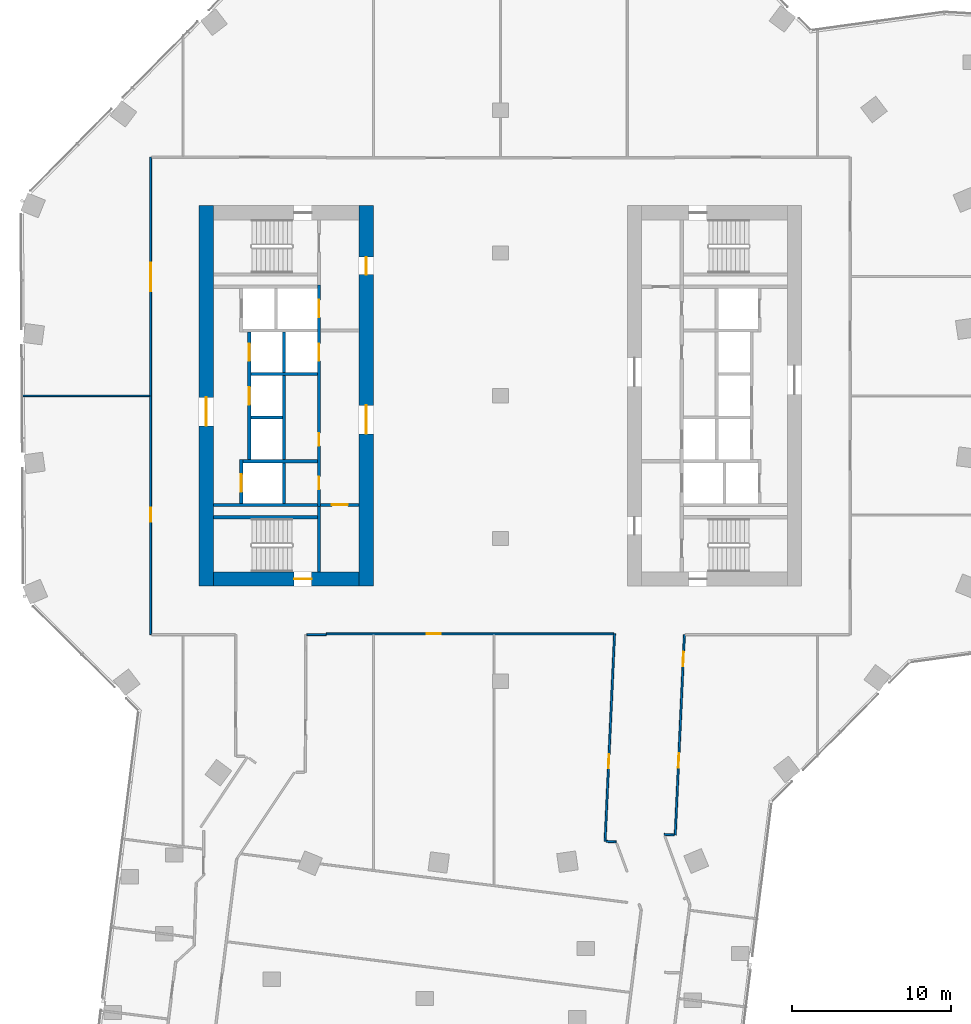
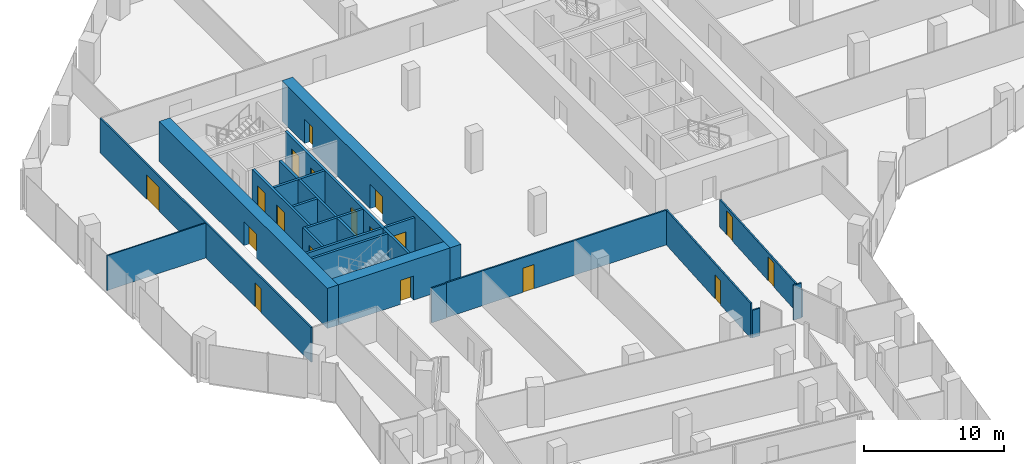
# One storey, part 20 of 27: 24 walls, 18 doors, 18 openings.
"""IFC4 building model written with IfcOpenShell, lengths in metres."""

from ifc_helpers import new_model, si_unit, direction, frame, frame_2d, origin, place, context, subcontext, project, spatial, rectangle, extrude, material, layer, layer_set, type_object, element, fill, save


model = new_model("IFC4")

# Units and contexts
model_context = context("Model", 3, precision=1e-05, world=origin(), true_north=direction((0.0, 1.0)))
body_context = subcontext(model_context, "Body", "Model", "MODEL_VIEW")
ifc_project = project(units=[si_unit("LENGTHUNIT", "METRE"), si_unit("AREAUNIT", "SQUARE_METRE"), si_unit("VOLUMEUNIT", "CUBIC_METRE"), si_unit("PLANEANGLEUNIT", "RADIAN"), si_unit("MASSUNIT", "GRAM", prefix="KILO")], contexts=[model_context])

# Site, building, storey
site_placement = place(None, origin())
site = spatial("IfcSite", under=ifc_project, at=site_placement, CompositionType="ELEMENT")
building_placement = place(site_placement, origin())
building = spatial("IfcBuilding", under=site, at=building_placement, Name="Orlundy Tower", CompositionType="ELEMENT")
storey_placement = place(building_placement, frame((0.0, 0.0, 199.10009765625)))
storey = spatial("IfcBuildingStorey", under=building, at=storey_placement, Name="L52", CompositionType="ELEMENT", Elevation=199.10009765625)

# Wall, opening, door
ifc_material_1 = material(Name="Concrete C70/85", Category="concrete")
ifc_layer_1 = layer(ifc_material_1, 0.89990234375)
ifc_layer_set_1 = layer_set([ifc_layer_1], Name="CORE WALL 900 C70/85")
wall_type_1 = type_object("IfcWallType", Name="CORE WALL 900 C70/85", PredefinedType="SHEAR", material=ifc_layer_set_1)
wall_1_placement = place(storey_placement, frame((-18.10009765625, -11.550048828125, 0.0), z_axis=(0.0, 0.0, 1.0), x_axis=(1.0, 0.0, 0.0)))
wall_1 = element("IfcWall", 1, at=wall_1_placement, inside=storey, type_object=wall_type_1, Name="Core wall W-S L52", PredefinedType="SHEAR", context=body_context, shape_type="SweptSolid", body=[
    extrude(rectangle(XDim=9.2001953125, YDim=0.89990234375, at=frame_2d((4.60009765625, 0.0))), origin(), (0.0, 0.0, 1.0), 3.5),
])
opening_1_placement = place(wall_1_placement, frame((5.10009765625, 0.0, 0.0)))
opening_1 = element("IfcOpeningElement", 2, at=opening_1_placement, cuts=wall_1, Name="Opening 40013", PredefinedType="OPENING", context=body_context, shape_type="SweptSolid", body=[
    extrude(rectangle(XDim=1.10009765625, YDim=2.10009765625, at=frame_2d((0.550048828125, 1.050048828125))), frame((0.0, 0.4599609375, 0.0), z_axis=(0.0, -1.0, 0.0), x_axis=(1.0, 0.0, 0.0)), (0.0, 0.0, 1.0), 0.919921875),
])
ifc_material_2 = material(Name="Steel door set", Category="steel")
door_type_1 = type_object("IfcDoorType", Name="Stair Door 1100x2100", OperationType="SINGLE_SWING_LEFT", PredefinedType="DOOR", material=ifc_material_2)
door_1_placement = place(opening_1_placement, origin())
door_1 = element("IfcDoor", 3, at=door_1_placement, inside=storey, type_object=door_type_1, Name="Stair door 40013", OperationType="SINGLE_SWING_RIGHT", OverallHeight=2.10009765625, OverallWidth=1.10009765625, PredefinedType="DOOR", context=body_context, shape_type="SweptSolid", body=[
    extrude(rectangle(XDim=1.10009765625, YDim=2.10009765625, at=frame_2d((0.550048828125, 1.050048828125))), frame((0.0, 0.02490234375, 0.0), z_axis=(0.0, -1.0, 0.0), x_axis=(1.0, 0.0, 0.0)), (0.0, 0.0, 1.0), 0.050048828125),
])
fill(opening_1, door_1)

wall_2_placement = place(storey_placement, frame((-18.550048828125, -12.0, 0.0), z_axis=(0.0, 0.0, 1.0), x_axis=(0.0, 1.0, 0.0)))
wall_2 = element("IfcWall", 4, at=wall_2_placement, inside=storey, type_object=wall_type_1, Name="Core wall W-W L52", PredefinedType="SHEAR", context=body_context, shape_type="SweptSolid", body=[
    extrude(rectangle(XDim=24.0, YDim=0.89990234375, at=frame_2d((12.0, 0.0))), origin(), (0.0, 0.0, 1.0), 3.5),
])
opening_2_placement = place(wall_2_placement, frame((10.10009765625, 0.0, 0.0)))
opening_2 = element("IfcOpeningElement", 5, at=opening_2_placement, cuts=wall_2, Name="Opening 40010", PredefinedType="OPENING", context=body_context, shape_type="SweptSolid", body=[
    extrude(rectangle(XDim=1.800048828125, YDim=2.10009765625, at=frame_2d((0.89990234375, 1.050048828125))), frame((0.0, 0.4599609375, 0.0), z_axis=(0.0, -1.0, 0.0), x_axis=(1.0, 0.0, 0.0)), (0.0, 0.0, 1.0), 0.919921875),
])
ifc_material_3 = material(Name="Timber door set", Category="wood")
door_type_2 = type_object("IfcDoorType", Name="Lobby Door 1800x2100", OperationType="DOUBLE_DOOR_DOUBLE_SWING", PredefinedType="DOOR", material=ifc_material_3)
door_2_placement = place(opening_2_placement, origin())
door_2 = element("IfcDoor", 6, at=door_2_placement, inside=storey, type_object=door_type_2, Name="Lift lobby door 40010", OperationType="SINGLE_SWING_LEFT", OverallHeight=2.10009765625, OverallWidth=1.800048828125, PredefinedType="DOOR", context=body_context, shape_type="SweptSolid", body=[
    extrude(rectangle(XDim=1.800048828125, YDim=2.10009765625, at=frame_2d((0.89990234375, 1.050048828125))), frame((0.0, 0.02490234375, 0.0), z_axis=(0.0, -1.0, 0.0), x_axis=(1.0, 0.0, 0.0)), (0.0, 0.0, 1.0), 0.050048828125),
])
fill(opening_2, door_2)

# Wall, openings, doors
wall_3_placement = place(storey_placement, frame((-8.449951171875, -12.0, 0.0), z_axis=(0.0, 0.0, 1.0), x_axis=(0.0, 1.0, 0.0)))
wall_3 = element("IfcWall", 7, at=wall_3_placement, inside=storey, type_object=wall_type_1, Name="Core wall W-E L52", PredefinedType="SHEAR", context=body_context, shape_type="SweptSolid", body=[
    extrude(rectangle(XDim=24.0, YDim=0.89990234375, at=frame_2d((12.0, 0.0))), origin(), (0.0, 0.0, 1.0), 3.5),
])
opening_3_placement = place(wall_3_placement, frame((9.60009765625, 0.0, 0.0)))
opening_3 = element("IfcOpeningElement", 8, at=opening_3_placement, cuts=wall_3, Name="Opening 40009", PredefinedType="OPENING", context=body_context, shape_type="SweptSolid", body=[
    extrude(rectangle(XDim=1.800048828125, YDim=2.10009765625, at=frame_2d((0.89990234375, 1.050048828125))), frame((0.0, 0.4599609375, 0.0), z_axis=(0.0, -1.0, 0.0), x_axis=(1.0, 0.0, 0.0)), (0.0, 0.0, 1.0), 0.919921875),
])
opening_4_placement = place(wall_3_placement, frame((19.64990234375, 0.0, 0.0)))
opening_4 = element("IfcOpeningElement", 9, at=opening_4_placement, cuts=wall_3, Name="Opening 40011", PredefinedType="OPENING", context=body_context, shape_type="SweptSolid", body=[
    extrude(rectangle(XDim=1.10009765625, YDim=2.10009765625, at=frame_2d((0.550048828125, 1.050048828125))), frame((0.0, 0.4599609375, 0.0), z_axis=(0.0, -1.0, 0.0), x_axis=(1.0, 0.0, 0.0)), (0.0, 0.0, 1.0), 0.919921875),
])
ifc_material_4 = material(Name="Steel door set", Category="steel")
door_type_3 = type_object("IfcDoorType", Name="Fire-fighting Lobby Door 1100x2100", OperationType="SINGLE_SWING_LEFT", PredefinedType="DOOR", material=ifc_material_4)
door_3_placement = place(opening_4_placement, origin())
door_3 = element("IfcDoor", 10, at=door_3_placement, inside=storey, type_object=door_type_3, Name="Fire-fighting lobby door 40011", OperationType="SINGLE_SWING_RIGHT", OverallHeight=2.10009765625, OverallWidth=1.10009765625, PredefinedType="DOOR", context=body_context, shape_type="SweptSolid", body=[
    extrude(rectangle(XDim=1.10009765625, YDim=2.10009765625, at=frame_2d((0.550048828125, 1.050048828125))), frame((0.0, 0.02490234375, 0.0), z_axis=(0.0, -1.0, 0.0), x_axis=(1.0, 0.0, 0.0)), (0.0, 0.0, 1.0), 0.050048828125),
])
fill(opening_4, door_3)
door_4_placement = place(opening_3_placement, origin())
door_4 = element("IfcDoor", 11, at=door_4_placement, inside=storey, type_object=door_type_2, Name="Lift lobby door 40009", OperationType="SINGLE_SWING_LEFT", OverallHeight=2.10009765625, OverallWidth=1.800048828125, PredefinedType="DOOR", context=body_context, shape_type="SweptSolid", body=[
    extrude(rectangle(XDim=1.800048828125, YDim=2.10009765625, at=frame_2d((0.89990234375, 1.050048828125))), frame((0.0, 0.02490234375, 0.0), z_axis=(0.0, -1.0, 0.0), x_axis=(1.0, 0.0, 0.0)), (0.0, 0.0, 1.0), 0.050048828125),
])
fill(opening_3, door_4)

# Walls
ifc_material_5 = material(Name="Gypsum board partition")
ifc_layer_2 = layer(ifc_material_5, 0.10009765625)
ifc_layer_set_2 = layer_set([ifc_layer_2], Name="Floor partition 100")
wall_type_2 = type_object("IfcWallType", Name="Floor partition 100", PredefinedType="PARTITIONING", material=ifc_layer_set_2)
wall_4_placement = place(storey_placement, frame((-30.2509765625, 0.0, 0.0), z_axis=(0.0, 0.0, 1.0), x_axis=(1.0, 0.0, 0.0)))
element("IfcWall", 12, at=wall_4_placement, inside=storey, type_object=wall_type_2, Name="wall-int-L52-035", PredefinedType="PARTITIONING", context=body_context, shape_type="SweptSolid", body=[
    extrude(rectangle(XDim=8.137939453125, YDim=0.10009765625, at=frame_2d((4.06884765625, 0.0))), origin(), (0.0, 0.0, 1.0), 3.02978515625),
])
ifc_material_6 = material(Name="Gypsum board partition, double layer")
ifc_layer_3 = layer(ifc_material_6, 0.125)
ifc_layer_set_3 = layer_set([ifc_layer_3], Name="Floor partition 125")
wall_type_3 = type_object("IfcWallType", Name="Floor partition 125", PredefinedType="PARTITIONING", material=ifc_layer_set_3)
wall_5_placement = place(storey_placement, frame((10.325927734375, -27.655029296875, 0.0), z_axis=(0.0, 0.0, 1.0), x_axis=(0.998961422795, -0.045563974439, 0.0)))
element("IfcWall", 13, at=wall_5_placement, inside=storey, type_object=wall_type_3, Name="wall-int-L52-023", PredefinedType="PARTITIONING", context=body_context, shape_type="SweptSolid", body=[
    extrude(rectangle(XDim=0.6376953125, YDim=0.125, at=frame_2d((0.31884765625, 0.0))), origin(), (0.0, 0.0, 1.0), 3.02978515625),
])
wall_6_placement = place(storey_placement, frame((-12.20703125, -15.051025390625, 0.0), z_axis=(0.0, 0.0, 1.0), x_axis=(1.0, 0.0, 0.0)))
element("IfcWall", 14, at=wall_6_placement, inside=storey, type_object=wall_type_3, Name="wall-int-L52-031", PredefinedType="PARTITIONING", context=body_context, shape_type="SweptSolid", body=[
    extrude(rectangle(XDim=1.216064453125, YDim=0.125, at=frame_2d((0.60791015625, 0.0))), origin(), (0.0, 0.0, 1.0), 3.02978515625),
])

# Wall, opening, door
wall_7_placement = place(storey_placement, frame((7.137939453125, -15.0009765625, 0.0), z_axis=(0.0, 0.0, 1.0), x_axis=(-1.0, 0.0, 0.0)))
wall_7 = element("IfcWall", 15, at=wall_7_placement, inside=storey, type_object=wall_type_3, Name="wall-int-L52-033", PredefinedType="PARTITIONING", context=body_context, shape_type="SweptSolid", body=[
    extrude(rectangle(XDim=18.1279296875, YDim=0.125, at=frame_2d((9.06396484375, 0.0))), origin(), (0.0, 0.0, 1.0), 3.02978515625),
])
opening_5_placement = place(wall_7_placement, frame((10.886474609375, 0.0, 0.0)))
opening_5 = element("IfcOpeningElement", 16, at=opening_5_placement, cuts=wall_7, Name="Opening 40114", PredefinedType="OPENING", context=body_context, shape_type="SweptSolid", body=[
    extrude(rectangle(XDim=0.89990234375, YDim=2.10009765625, at=frame_2d((0.449951171875, 1.050048828125))), frame((0.0, 0.072509765625, 0.0), z_axis=(0.0, -1.0, 0.0), x_axis=(1.0, 0.0, 0.0)), (0.0, 0.0, 1.0), 0.14501953125),
])
ifc_material_7 = material(Name="Timber door leaf", Category="wood")
door_type_4 = type_object("IfcDoorType", Name="Floor door single 900 FD30S", OperationType="NOTDEFINED", PredefinedType="DOOR", material=ifc_material_7)
door_5_placement = place(opening_5_placement, origin())
door_5 = element("IfcDoor", 17, at=door_5_placement, inside=storey, type_object=door_type_4, Name="Door 40114", OperationType="SINGLE_SWING_RIGHT", OverallHeight=2.10009765625, OverallWidth=0.89990234375, PredefinedType="DOOR", context=body_context, shape_type="SweptSolid", body=[
    extrude(rectangle(XDim=0.89990234375, YDim=2.10009765625, at=frame_2d((0.449951171875, 1.050048828125))), frame((0.0, 0.02490234375, 0.0), z_axis=(0.0, -1.0, 0.0), x_axis=(1.0, 0.0, 0.0)), (0.0, 0.0, 1.0), 0.050048828125),
])
fill(opening_5, door_5)

wall_8_placement = place(storey_placement, frame((6.60107421875, -28.090087890625, 0.0), z_axis=(0.0, 0.0, 1.0), x_axis=(0.045702609905, 0.998955089805, 0.0)))
wall_8 = element("IfcWall", 18, at=wall_8_placement, inside=storey, type_object=wall_type_3, Name="wall-int-L52-059", PredefinedType="PARTITIONING", context=body_context, shape_type="SweptSolid", body=[
    extrude(rectangle(XDim=13.103759765625, YDim=0.125, at=frame_2d((6.5517578125, 0.0))), origin(), (0.0, 0.0, 1.0), 3.02978515625),
])
opening_6_placement = place(wall_8_placement, frame((4.60009765625, 0.0, 0.0)))
opening_6 = element("IfcOpeningElement", 19, at=opening_6_placement, cuts=wall_8, Name="Opening 40115", PredefinedType="OPENING", context=body_context, shape_type="SweptSolid", body=[
    extrude(rectangle(XDim=0.89990234375, YDim=2.10009765625, at=frame_2d((0.449951171875, 1.050048828125))), frame((0.0, 0.072509765625, 0.0), z_axis=(0.0, -1.0, 0.0), x_axis=(1.0, 0.0, 0.0)), (0.0, 0.0, 1.0), 0.14501953125),
])
door_6_placement = place(opening_6_placement, origin())
door_6 = element("IfcDoor", 20, at=door_6_placement, inside=storey, type_object=door_type_4, Name="Door 40115", OperationType="SINGLE_SWING_LEFT", OverallHeight=2.10009765625, OverallWidth=0.89990234375, PredefinedType="DOOR", context=body_context, shape_type="SweptSolid", body=[
    extrude(rectangle(XDim=0.89990234375, YDim=2.10009765625, at=frame_2d((0.449951171875, 1.050048828125))), frame((0.0, 0.02490234375, 0.0), z_axis=(0.0, -1.0, 0.0), x_axis=(1.0, 0.0, 0.0)), (0.0, 0.0, 1.0), 0.050048828125),
])
fill(opening_6, door_6)

# Wall, openings, doors
wall_9_placement = place(storey_placement, frame((-22.050048828125, -15.051025390625, 0.0), z_axis=(0.0, 0.0, 1.0), x_axis=(0.0, 1.0, 0.0)))
wall_9 = element("IfcWall", 21, at=wall_9_placement, inside=storey, type_object=wall_type_3, Name="wall-int-L52-077", PredefinedType="PARTITIONING", context=body_context, shape_type="SweptSolid", body=[
    extrude(rectangle(XDim=30.10205078125, YDim=0.125, at=frame_2d((15.051025390625, 0.0))), origin(), (0.0, 0.0, 1.0), 3.02978515625),
])
opening_7_placement = place(wall_9_placement, frame((7.10009765625, 0.0, 0.0)))
opening_7 = element("IfcOpeningElement", 22, at=opening_7_placement, cuts=wall_9, Name="Opening 40111", PredefinedType="OPENING", context=body_context, shape_type="SweptSolid", body=[
    extrude(rectangle(XDim=0.89990234375, YDim=2.10009765625, at=frame_2d((0.449951171875, 1.050048828125))), frame((0.0, 0.072509765625, 0.0), z_axis=(0.0, -1.0, 0.0), x_axis=(1.0, 0.0, 0.0)), (0.0, 0.0, 1.0), 0.14501953125),
])
opening_8_placement = place(wall_9_placement, frame((21.65087890625, 0.0, 0.0)))
opening_8 = element("IfcOpeningElement", 23, at=opening_8_placement, cuts=wall_9, Name="Opening 40126", PredefinedType="OPENING", context=body_context, shape_type="SweptSolid", body=[
    extrude(rectangle(XDim=1.800048828125, YDim=2.10009765625, at=frame_2d((0.89990234375, 1.050048828125))), frame((0.0, 0.072509765625, 0.0), z_axis=(0.0, -1.0, 0.0), x_axis=(1.0, 0.0, 0.0)), (0.0, 0.0, 1.0), 0.14501953125),
])
ifc_material_8 = material(Name="Timber door leaf", Category="wood")
door_type_5 = type_object("IfcDoorType", Name="Floor door double 1800 FD30S", OperationType="NOTDEFINED", PredefinedType="DOOR", material=ifc_material_8)
door_7_placement = place(opening_8_placement, origin())
door_7 = element("IfcDoor", 24, at=door_7_placement, inside=storey, type_object=door_type_5, Name="Door 40126", OperationType="DOUBLE_DOOR_SINGLE_SWING", OverallHeight=2.10009765625, OverallWidth=1.800048828125, PredefinedType="DOOR", context=body_context, shape_type="SweptSolid", body=[
    extrude(rectangle(XDim=1.800048828125, YDim=2.10009765625, at=frame_2d((0.89990234375, 1.050048828125))), frame((0.0, 0.02490234375, 0.0), z_axis=(0.0, -1.0, 0.0), x_axis=(1.0, 0.0, 0.0)), (0.0, 0.0, 1.0), 0.050048828125),
])
fill(opening_8, door_7)
door_8_placement = place(opening_7_placement, origin())
door_8 = element("IfcDoor", 25, at=door_8_placement, inside=storey, type_object=door_type_4, Name="Door 40111", OperationType="SINGLE_SWING_LEFT", OverallHeight=2.10009765625, OverallWidth=0.89990234375, PredefinedType="DOOR", context=body_context, shape_type="SweptSolid", body=[
    extrude(rectangle(XDim=0.89990234375, YDim=2.10009765625, at=frame_2d((0.449951171875, 1.050048828125))), frame((0.0, 0.02490234375, 0.0), z_axis=(0.0, -1.0, 0.0), x_axis=(1.0, 0.0, 0.0)), (0.0, 0.0, 1.0), 0.050048828125),
])
fill(opening_7, door_8)

# Wall
ifc_material_9 = material(Name="Gypsum board partition, double layer")
ifc_layer_4 = layer(ifc_material_9, 0.125)
ifc_layer_set_4 = layer_set([ifc_layer_4], Name="Floor partition 125 B")
wall_type_4 = type_object("IfcWallType", Name="Floor partition 125 B", PredefinedType="PARTITIONING", material=ifc_layer_set_4)
wall_10_placement = place(storey_placement, frame((6.6630859375, -28.093017578125, 0.0), z_axis=(0.0, 0.0, 1.0), x_axis=(0.998961422795, -0.045563974439, 0.0)))
element("IfcWall", 26, at=wall_10_placement, inside=storey, type_object=wall_type_4, Name="wall-int-L52-022", PredefinedType="PARTITIONING", context=body_context, shape_type="SweptSolid", body=[
    extrude(rectangle(XDim=0.6376953125, YDim=0.125, at=frame_2d((0.31884765625, 0.0))), origin(), (0.0, 0.0, 1.0), 2.39501953125),
])

# Wall, openings, doors
wall_11_placement = place(storey_placement, frame((11.60302734375, -15.050048828125, 0.0), z_axis=(0.0, 0.0, 1.0), x_axis=(-0.045700929941, -0.998955166663, 0.0)))
wall_11 = element("IfcWall", 27, at=wall_11_placement, inside=storey, type_object=wall_type_4, Name="wall-int-L52-058", PredefinedType="PARTITIONING", context=body_context, shape_type="SweptSolid", body=[
    extrude(rectangle(XDim=12.650146484375, YDim=0.125, at=frame_2d((6.3251953125, 0.0))), origin(), (0.0, 0.0, 1.0), 2.39501953125),
])
opening_9_placement = place(wall_11_placement, frame((7.499267578125, 0.0, 0.0)))
opening_9 = element("IfcOpeningElement", 28, at=opening_9_placement, cuts=wall_11, Name="Opening 40116", PredefinedType="OPENING", context=body_context, shape_type="SweptSolid", body=[
    extrude(rectangle(XDim=0.89990234375, YDim=2.10009765625, at=frame_2d((0.449951171875, 1.050048828125))), frame((0.0, 0.072509765625, 0.0), z_axis=(0.0, -1.0, 0.0), x_axis=(1.0, 0.0, 0.0)), (0.0, 0.0, 1.0), 0.14501953125),
])
opening_10_placement = place(wall_11_placement, frame((1.100830078125, 0.0, 0.0)))
opening_10 = element("IfcOpeningElement", 29, at=opening_10_placement, cuts=wall_11, Name="Opening 40117", PredefinedType="OPENING", context=body_context, shape_type="SweptSolid", body=[
    extrude(rectangle(XDim=0.89990234375, YDim=2.10009765625, at=frame_2d((0.449951171875, 1.050048828125))), frame((0.0, 0.072509765625, 0.0), z_axis=(0.0, -1.0, 0.0), x_axis=(1.0, 0.0, 0.0)), (0.0, 0.0, 1.0), 0.14501953125),
])
door_9_placement = place(opening_9_placement, origin())
door_9 = element("IfcDoor", 30, at=door_9_placement, inside=storey, type_object=door_type_4, Name="Door 40116", OperationType="SINGLE_SWING_RIGHT", OverallHeight=2.10009765625, OverallWidth=0.89990234375, PredefinedType="DOOR", context=body_context, shape_type="SweptSolid", body=[
    extrude(rectangle(XDim=0.89990234375, YDim=2.10009765625, at=frame_2d((0.449951171875, 1.050048828125))), frame((0.0, 0.02490234375, 0.0), z_axis=(0.0, -1.0, 0.0), x_axis=(1.0, 0.0, 0.0)), (0.0, 0.0, 1.0), 0.050048828125),
])
fill(opening_9, door_9)
door_10_placement = place(opening_10_placement, origin())
door_10 = element("IfcDoor", 31, at=door_10_placement, inside=storey, type_object=door_type_4, Name="Door 40117", OperationType="SINGLE_SWING_LEFT", OverallHeight=2.10009765625, OverallWidth=0.89990234375, PredefinedType="DOOR", context=body_context, shape_type="SweptSolid", body=[
    extrude(rectangle(XDim=0.89990234375, YDim=2.10009765625, at=frame_2d((0.449951171875, 1.050048828125))), frame((0.0, 0.02490234375, 0.0), z_axis=(0.0, -1.0, 0.0), x_axis=(1.0, 0.0, 0.0)), (0.0, 0.0, 1.0), 0.050048828125),
])
fill(opening_10, door_10)

# Walls
ifc_material_10 = material(Name="Concrete C40/50", Category="concrete")
ifc_layer_5 = layer(ifc_material_10, 0.199951171875)
ifc_layer_set_5 = layer_set([ifc_layer_5], Name="Load-bearing Shaft Wall 200")
wall_type_5 = type_object("IfcWallType", Name="Load-bearing Shaft Wall 200", PredefinedType="SOLIDWALL", material=ifc_layer_set_5)
wall_12_placement = place(storey_placement, frame((-11.5400390625, -6.875, 0.0), z_axis=(0.0, 0.0, 1.0), x_axis=(-1.0, 0.0, 0.0)))
element("IfcWall", 32, at=wall_12_placement, inside=storey, type_object=wall_type_5, Name="Shaft wall W40-zone-s", PredefinedType="SOLIDWALL", context=body_context, shape_type="SweptSolid", body=[
    extrude(rectangle(XDim=6.56005859375, YDim=0.199951171875, at=frame_2d((3.280029296875, 0.0))), origin(), (0.0, 0.0, 1.0), 3.079833984375),
])
wall_13_placement = place(storey_placement, frame((-11.5400390625, -4.125, 0.0), z_axis=(0.0, 0.0, 1.0), x_axis=(-1.0, 0.0, 0.0)))
element("IfcWall", 33, at=wall_13_placement, inside=storey, type_object=wall_type_5, Name="Shaft wall W40-cross-4.125", PredefinedType="SOLIDWALL", context=body_context, shape_type="SweptSolid", body=[
    extrude(rectangle(XDim=4.699951171875, YDim=0.199951171875, at=frame_2d((2.35009765625, 0.0))), origin(), (0.0, 0.0, 1.0), 3.079833984375),
])
wall_14_placement = place(storey_placement, frame((-13.739990234375, -1.375, 0.0), z_axis=(0.0, 0.0, 1.0), x_axis=(-1.0, 0.0, 0.0)))
element("IfcWall", 34, at=wall_14_placement, inside=storey, type_object=wall_type_5, Name="Shaft wall W40-cross-1.375", PredefinedType="SOLIDWALL", context=body_context, shape_type="SweptSolid", body=[
    extrude(rectangle(XDim=2.0, YDim=0.199951171875, at=frame_2d((1.0, 0.0))), origin(), (0.0, 0.0, 1.0), 3.079833984375),
])

# Wall, openings, doors
wall_15_placement = place(storey_placement, frame((-11.43994140625, -6.97509765625, 0.0), z_axis=(0.0, 0.0, 1.0), x_axis=(0.0, 1.0, 0.0)))
wall_15 = element("IfcWall", 35, at=wall_15_placement, inside=storey, type_object=wall_type_5, Name="Shaft wall W40-front-h", PredefinedType="SOLIDWALL", context=body_context, shape_type="SweptSolid", body=[
    extrude(rectangle(XDim=13.9501953125, YDim=0.199951171875, at=frame_2d((6.97509765625, 0.0))), origin(), (0.0, 0.0, 1.0), 3.079833984375),
])
opening_11_placement = place(wall_15_placement, frame((9.175048828125, 0.0, 0.0)))
opening_11 = element("IfcOpeningElement", 36, at=opening_11_placement, cuts=wall_15, Name="Opening 40003", PredefinedType="OPENING", context=body_context, shape_type="SweptSolid", body=[
    extrude(rectangle(XDim=1.10009765625, YDim=2.10009765625, at=frame_2d((0.550048828125, 1.050048828125))), frame((0.0, 0.110107421875, 0.0), z_axis=(0.0, -1.0, 0.0), x_axis=(1.0, 0.0, 0.0)), (0.0, 0.0, 1.0), 0.22021484375),
])
opening_12_placement = place(wall_15_placement, frame((11.925048828125, 0.0, 0.0)))
opening_12 = element("IfcOpeningElement", 37, at=opening_12_placement, cuts=wall_15, Name="Opening 40005", PredefinedType="OPENING", context=body_context, shape_type="SweptSolid", body=[
    extrude(rectangle(XDim=1.10009765625, YDim=2.10009765625, at=frame_2d((0.550048828125, 1.050048828125))), frame((0.0, 0.110107421875, 0.0), z_axis=(0.0, -1.0, 0.0), x_axis=(1.0, 0.0, 0.0)), (0.0, 0.0, 1.0), 0.22021484375),
])
opening_13_placement = place(wall_15_placement, frame((1.074951171875, 0.0, 0.0)))
opening_13 = element("IfcOpeningElement", 38, at=opening_13_placement, cuts=wall_15, Name="Opening 40007", PredefinedType="OPENING", context=body_context, shape_type="SweptSolid", body=[
    extrude(rectangle(XDim=0.800048828125, YDim=2.10009765625, at=frame_2d((0.39990234375, 1.050048828125))), frame((0.0, 0.110107421875, 0.0), z_axis=(0.0, -1.0, 0.0), x_axis=(1.0, 0.0, 0.0)), (0.0, 0.0, 1.0), 0.22021484375),
])
opening_14_placement = place(wall_15_placement, frame((3.824951171875, 0.0, 0.0)))
opening_14 = element("IfcOpeningElement", 39, at=opening_14_placement, cuts=wall_15, Name="Opening 40008", PredefinedType="OPENING", context=body_context, shape_type="SweptSolid", body=[
    extrude(rectangle(XDim=0.800048828125, YDim=2.10009765625, at=frame_2d((0.39990234375, 1.050048828125))), frame((0.0, 0.110107421875, 0.0), z_axis=(0.0, -1.0, 0.0), x_axis=(1.0, 0.0, 0.0)), (0.0, 0.0, 1.0), 0.22021484375),
])
ifc_material_11 = material(Name="Steel door set", Category="steel")
door_type_6 = type_object("IfcDoorType", Name="Landing Door 1100x2100", OperationType="DOUBLE_DOOR_SLIDING", PredefinedType="DOOR", material=ifc_material_11)
door_11_placement = place(opening_11_placement, origin())
door_11 = element("IfcDoor", 40, at=door_11_placement, inside=storey, type_object=door_type_6, Name="Lift landing door LP-12 40003", OperationType="DOUBLE_DOOR_SLIDING", OverallHeight=2.10009765625, OverallWidth=1.10009765625, PredefinedType="DOOR", context=body_context, shape_type="SweptSolid", body=[
    extrude(rectangle(XDim=1.10009765625, YDim=2.10009765625, at=frame_2d((0.550048828125, 1.050048828125))), frame((0.0, 0.02490234375, 0.0), z_axis=(0.0, -1.0, 0.0), x_axis=(1.0, 0.0, 0.0)), (0.0, 0.0, 1.0), 0.050048828125),
])
fill(opening_11, door_11)
door_12_placement = place(opening_12_placement, origin())
door_12 = element("IfcDoor", 41, at=door_12_placement, inside=storey, type_object=door_type_6, Name="Lift landing door FL1 40005", OperationType="DOUBLE_DOOR_SLIDING", OverallHeight=2.10009765625, OverallWidth=1.10009765625, PredefinedType="DOOR", context=body_context, shape_type="SweptSolid", body=[
    extrude(rectangle(XDim=1.10009765625, YDim=2.10009765625, at=frame_2d((0.550048828125, 1.050048828125))), frame((0.0, 0.02490234375, 0.0), z_axis=(0.0, -1.0, 0.0), x_axis=(1.0, 0.0, 0.0)), (0.0, 0.0, 1.0), 0.050048828125),
])
fill(opening_12, door_12)
ifc_material_12 = material(Name="Timber door set", Category="wood")
door_type_7 = type_object("IfcDoorType", Name="Riser Door 800x2100", OperationType="SINGLE_SWING_LEFT", PredefinedType="DOOR", material=ifc_material_12)
door_13_placement = place(opening_13_placement, origin())
door_13 = element("IfcDoor", 42, at=door_13_placement, inside=storey, type_object=door_type_7, Name="Pantry Store door 40007", OperationType="SINGLE_SWING_LEFT", OverallHeight=2.10009765625, OverallWidth=0.800048828125, PredefinedType="DOOR", context=body_context, shape_type="SweptSolid", body=[
    extrude(rectangle(XDim=0.800048828125, YDim=2.10009765625, at=frame_2d((0.39990234375, 1.050048828125))), frame((0.0, 0.02490234375, 0.0), z_axis=(0.0, -1.0, 0.0), x_axis=(1.0, 0.0, 0.0)), (0.0, 0.0, 1.0), 0.050048828125),
])
fill(opening_13, door_13)
door_14_placement = place(opening_14_placement, origin())
door_14 = element("IfcDoor", 43, at=door_14_placement, inside=storey, type_object=door_type_7, Name="AV Store door 40008", OperationType="SINGLE_SWING_LEFT", OverallHeight=2.10009765625, OverallWidth=0.800048828125, PredefinedType="DOOR", context=body_context, shape_type="SweptSolid", body=[
    extrude(rectangle(XDim=0.800048828125, YDim=2.10009765625, at=frame_2d((0.39990234375, 1.050048828125))), frame((0.0, 0.02490234375, 0.0), z_axis=(0.0, -1.0, 0.0), x_axis=(1.0, 0.0, 0.0)), (0.0, 0.0, 1.0), 0.050048828125),
])
fill(opening_14, door_14)

# Walls
wall_16_placement = place(storey_placement, frame((-13.639892578125, -6.77490234375, 0.0), z_axis=(0.0, 0.0, 1.0), x_axis=(0.0, 1.0, 0.0)))
element("IfcWall", 44, at=wall_16_placement, inside=storey, type_object=wall_type_5, Name="Shaft wall W40-mid-a", PredefinedType="SOLIDWALL", context=body_context, shape_type="SweptSolid", body=[
    extrude(rectangle(XDim=2.5498046875, YDim=0.199951171875, at=frame_2d((1.27490234375, 0.0))), origin(), (0.0, 0.0, 1.0), 3.079833984375),
])
wall_17_placement = place(storey_placement, frame((-13.639892578125, -4.02490234375, 0.0), z_axis=(0.0, 0.0, 1.0), x_axis=(0.0, 1.0, 0.0)))
element("IfcWall", 45, at=wall_17_placement, inside=storey, type_object=wall_type_5, Name="Shaft wall W40-mid-a.1", PredefinedType="SOLIDWALL", context=body_context, shape_type="SweptSolid", body=[
    extrude(rectangle(XDim=5.2998046875, YDim=0.199951171875, at=frame_2d((2.64990234375, 0.0))), origin(), (0.0, 0.0, 1.0), 3.079833984375),
])
wall_18_placement = place(storey_placement, frame((-11.43994140625, -11.10009765625, 0.0), z_axis=(0.0, 0.0, 1.0), x_axis=(0.0, 1.0, 0.0)))
element("IfcWall", 46, at=wall_18_placement, inside=storey, type_object=wall_type_5, Name="Shaft wall W40-stair-end-s", PredefinedType="SOLIDWALL", context=body_context, shape_type="SweptSolid", body=[
    extrude(rectangle(XDim=4.125, YDim=0.199951171875, at=frame_2d((2.0625, 0.0))), origin(), (0.0, 0.0, 1.0), 3.079833984375),
])
wall_19_placement = place(storey_placement, frame((-11.5400390625, -7.64990234375, 0.0), z_axis=(0.0, 0.0, 1.0), x_axis=(-1.0, 0.0, 0.0)))
element("IfcWall", 47, at=wall_19_placement, inside=storey, type_object=wall_type_5, Name="Shaft wall W40-stair-side-s", PredefinedType="SOLIDWALL", context=body_context, shape_type="SweptSolid", body=[
    extrude(rectangle(XDim=6.56005859375, YDim=0.199951171875, at=frame_2d((3.280029296875, 0.0))), origin(), (0.0, 0.0, 1.0), 3.079833984375),
])

# Wall, opening, door
ifc_material_13 = material(Name="Gypsum board partition on steel studs", Category="steel")
ifc_layer_6 = layer(ifc_material_13, 0.199951171875)
ifc_layer_set_6 = layer_set([ifc_layer_6], Name="Partition 200")
wall_type_6 = type_object("IfcWallType", Name="Partition 200", PredefinedType="PARTITIONING", material=ifc_layer_set_6)
wall_20_placement = place(storey_placement, frame((-8.89990234375, -6.875, 0.0), z_axis=(0.0, 0.0, 1.0), x_axis=(-1.0, 0.0, 0.0)))
wall_20 = element("IfcWall", 48, at=wall_20_placement, inside=storey, type_object=wall_type_6, Name="Partition wall W40-end-s", PredefinedType="PARTITIONING", context=body_context, shape_type="SweptSolid", body=[
    extrude(rectangle(XDim=2.440185546875, YDim=0.199951171875, at=frame_2d((1.22021484375, 0.0))), origin(), (0.0, 0.0, 1.0), 3.079833984375),
])
opening_15_placement = place(wall_20_placement, frame((0.719970703125, 0.0, 0.0)))
opening_15 = element("IfcOpeningElement", 49, at=opening_15_placement, cuts=wall_20, Name="Opening 40015", PredefinedType="OPENING", context=body_context, shape_type="SweptSolid", body=[
    extrude(rectangle(XDim=1.0, YDim=2.10009765625, at=frame_2d((0.5, 1.050048828125))), frame((0.0, 0.110107421875, 0.0), z_axis=(0.0, -1.0, 0.0), x_axis=(1.0, 0.0, 0.0)), (0.0, 0.0, 1.0), 0.22021484375),
])
ifc_material_14 = material(Name="Timber door set", Category="wood")
door_type_8 = type_object("IfcDoorType", Name="Accessible Door 1000x2100", OperationType="SINGLE_SWING_LEFT", PredefinedType="DOOR", material=ifc_material_14)
door_15_placement = place(opening_15_placement, origin())
door_15 = element("IfcDoor", 50, at=door_15_placement, inside=storey, type_object=door_type_8, Name="Accessible WC door 40015", OperationType="SINGLE_SWING_RIGHT", OverallHeight=2.10009765625, OverallWidth=1.0, PredefinedType="DOOR", context=body_context, shape_type="SweptSolid", body=[
    extrude(rectangle(XDim=1.0, YDim=2.10009765625, at=frame_2d((0.5, 1.050048828125))), frame((0.0, 0.02490234375, 0.0), z_axis=(0.0, -1.0, 0.0), x_axis=(1.0, 0.0, 0.0)), (0.0, 0.0, 1.0), 0.050048828125),
])
fill(opening_15, door_15)

# Walls
ifc_material_15 = material(Name="Fire-rated blockwork shaft wall", Category="masonry")
ifc_layer_7 = layer(ifc_material_15, 0.199951171875)
ifc_layer_set_7 = layer_set([ifc_layer_7], Name="Shaft Wall 200")
wall_type_7 = type_object("IfcWallType", Name="Shaft Wall 200", PredefinedType="SOLIDWALL", material=ifc_layer_set_7)
wall_21_placement = place(storey_placement, frame((-11.5400390625, 1.375, 0.0), z_axis=(0.0, 0.0, 1.0), x_axis=(-1.0, 0.0, 0.0)))
element("IfcWall", 51, at=wall_21_placement, inside=storey, type_object=wall_type_7, Name="Shaft wall W40-cross+1.375", PredefinedType="SOLIDWALL", context=body_context, shape_type="SweptSolid", body=[
    extrude(rectangle(XDim=4.199951171875, YDim=0.199951171875, at=frame_2d((2.10009765625, 0.0))), origin(), (0.0, 0.0, 1.0), 3.079833984375),
])
wall_22_placement = place(storey_placement, frame((-13.639892578125, 1.47509765625, 0.0), z_axis=(0.0, 0.0, 1.0), x_axis=(0.0, 1.0, 0.0)))
element("IfcWall", 52, at=wall_22_placement, inside=storey, type_object=wall_type_7, Name="Shaft wall W40-mid-a.2", PredefinedType="SOLIDWALL", context=body_context, shape_type="SweptSolid", body=[
    extrude(rectangle(XDim=2.5498046875, YDim=0.199951171875, at=frame_2d((1.27490234375, 0.0))), origin(), (0.0, 0.0, 1.0), 3.079833984375),
])

# Wall, opening, door
wall_23_placement = place(storey_placement, frame((-16.340087890625, -6.77490234375, 0.0), z_axis=(0.0, 0.0, 1.0), x_axis=(0.0, 1.0, 0.0)))
wall_23 = element("IfcWall", 53, at=wall_23_placement, inside=storey, type_object=wall_type_7, Name="Shaft wall W40-front-o-a", PredefinedType="SOLIDWALL", context=body_context, shape_type="SweptSolid", body=[
    extrude(rectangle(XDim=2.75, YDim=0.199951171875, at=frame_2d((1.375, 0.0))), origin(), (0.0, 0.0, 1.0), 3.079833984375),
])
opening_16_placement = place(wall_23_placement, frame((0.72509765625, 0.0, 0.0)))
opening_16 = element("IfcOpeningElement", 54, at=opening_16_placement, cuts=wall_23, Name="Opening 40001", PredefinedType="OPENING", context=body_context, shape_type="SweptSolid", body=[
    extrude(rectangle(XDim=1.10009765625, YDim=2.10009765625, at=frame_2d((0.550048828125, 1.050048828125))), frame((0.0, 0.110107421875, 0.0), z_axis=(0.0, -1.0, 0.0), x_axis=(1.0, 0.0, 0.0)), (0.0, 0.0, 1.0), 0.22021484375),
])
door_16_placement = place(opening_16_placement, origin())
door_16 = element("IfcDoor", 55, at=door_16_placement, inside=storey, type_object=door_type_6, Name="Lift landing door LV-01 40001", OperationType="DOUBLE_DOOR_SLIDING", OverallHeight=2.10009765625, OverallWidth=1.10009765625, PredefinedType="DOOR", context=body_context, shape_type="SweptSolid", body=[
    extrude(rectangle(XDim=1.10009765625, YDim=2.10009765625, at=frame_2d((0.550048828125, 1.050048828125))), frame((0.0, 0.02490234375, 0.0), z_axis=(0.0, -1.0, 0.0), x_axis=(1.0, 0.0, 0.0)), (0.0, 0.0, 1.0), 0.050048828125),
])
fill(opening_16, door_16)

# Wall, openings, doors
wall_24_placement = place(storey_placement, frame((-15.840087890625, -4.02490234375, 0.0), z_axis=(0.0, 0.0, 1.0), x_axis=(0.0, 1.0, 0.0)))
wall_24 = element("IfcWall", 56, at=wall_24_placement, inside=storey, type_object=wall_type_7, Name="Shaft wall W40-front-o-b", PredefinedType="SOLIDWALL", context=body_context, shape_type="SweptSolid", body=[
    extrude(rectangle(XDim=8.0498046875, YDim=0.199951171875, at=frame_2d((4.02490234375, 0.0))), origin(), (0.0, 0.0, 1.0), 3.079833984375),
])
opening_17_placement = place(wall_24_placement, frame((3.47509765625, 0.0, 0.0)))
opening_17 = element("IfcOpeningElement", 57, at=opening_17_placement, cuts=wall_24, Name="Opening 40002", PredefinedType="OPENING", context=body_context, shape_type="SweptSolid", body=[
    extrude(rectangle(XDim=1.10009765625, YDim=2.10009765625, at=frame_2d((0.550048828125, 1.050048828125))), frame((0.0, 0.110107421875, 0.0), z_axis=(0.0, -1.0, 0.0), x_axis=(1.0, 0.0, 0.0)), (0.0, 0.0, 1.0), 0.22021484375),
])
opening_18_placement = place(wall_24_placement, frame((6.22509765625, 0.0, 0.0)))
opening_18 = element("IfcOpeningElement", 58, at=opening_18_placement, cuts=wall_24, Name="Opening 40004", PredefinedType="OPENING", context=body_context, shape_type="SweptSolid", body=[
    extrude(rectangle(XDim=1.10009765625, YDim=2.10009765625, at=frame_2d((0.550048828125, 1.050048828125))), frame((0.0, 0.110107421875, 0.0), z_axis=(0.0, -1.0, 0.0), x_axis=(1.0, 0.0, 0.0)), (0.0, 0.0, 1.0), 0.22021484375),
])
door_17_placement = place(opening_17_placement, origin())
door_17 = element("IfcDoor", 59, at=door_17_placement, inside=storey, type_object=door_type_6, Name="Lift landing door LP-11 40002", OperationType="DOUBLE_DOOR_SLIDING", OverallHeight=2.10009765625, OverallWidth=1.10009765625, PredefinedType="DOOR", context=body_context, shape_type="SweptSolid", body=[
    extrude(rectangle(XDim=1.10009765625, YDim=2.10009765625, at=frame_2d((0.550048828125, 1.050048828125))), frame((0.0, 0.02490234375, 0.0), z_axis=(0.0, -1.0, 0.0), x_axis=(1.0, 0.0, 0.0)), (0.0, 0.0, 1.0), 0.050048828125),
])
fill(opening_17, door_17)
door_18_placement = place(opening_18_placement, origin())
door_18 = element("IfcDoor", 60, at=door_18_placement, inside=storey, type_object=door_type_6, Name="Lift landing door LP-13 40004", OperationType="DOUBLE_DOOR_SLIDING", OverallHeight=2.10009765625, OverallWidth=1.10009765625, PredefinedType="DOOR", context=body_context, shape_type="SweptSolid", body=[
    extrude(rectangle(XDim=1.10009765625, YDim=2.10009765625, at=frame_2d((0.550048828125, 1.050048828125))), frame((0.0, 0.02490234375, 0.0), z_axis=(0.0, -1.0, 0.0), x_axis=(1.0, 0.0, 0.0)), (0.0, 0.0, 1.0), 0.050048828125),
])
fill(opening_18, door_18)

save(model, "model.ifc")
